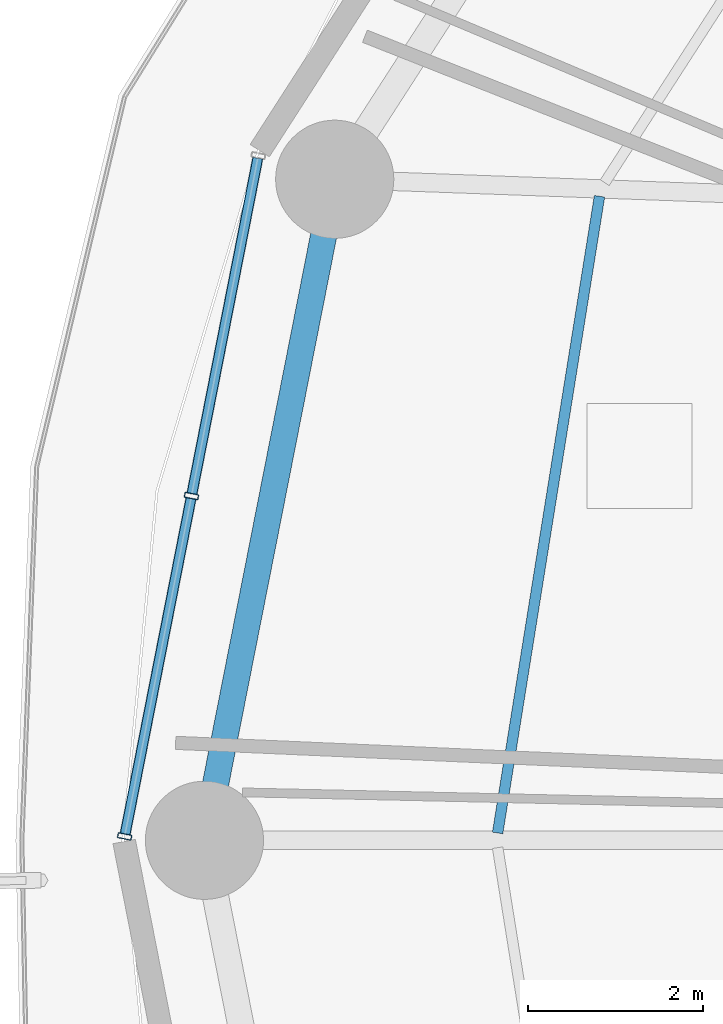
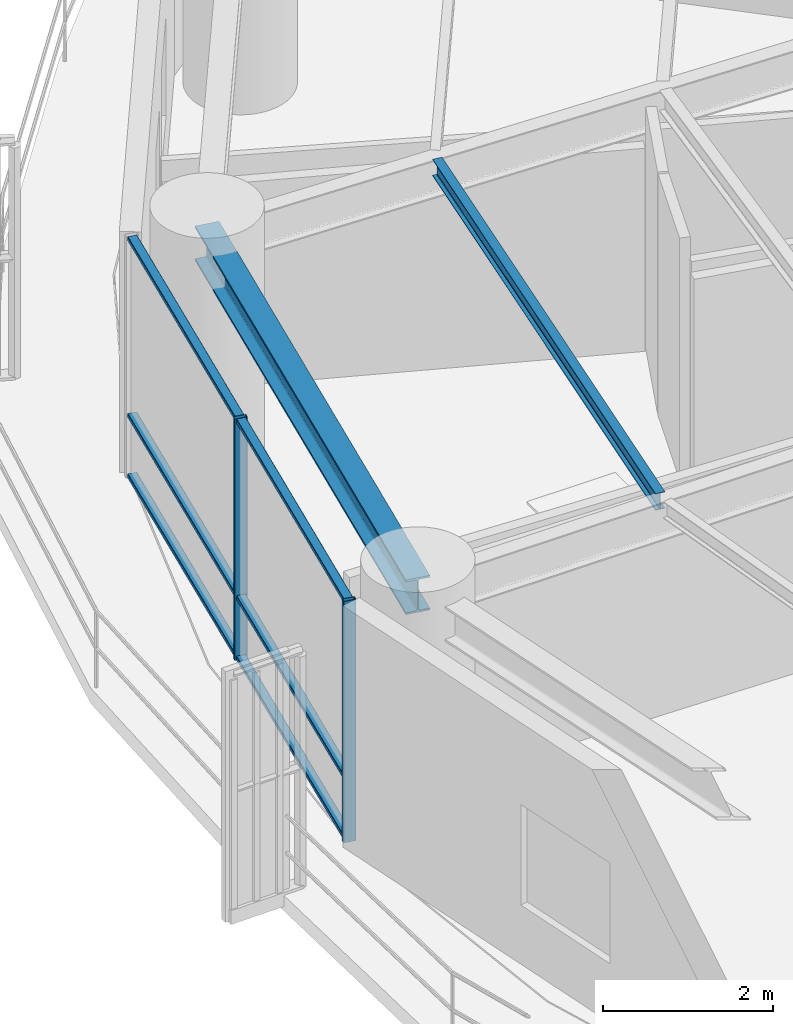
# One storey, part 8 of 37: 8 members, 2 beams, 1 element without a shape of its own.
"""IFC4 building model written with IfcOpenShell, lengths in metres."""

from ifc_helpers import new_model, si_unit, direction, frame, origin, origin_2d, place, context, subcontext, project, spatial, hollow_rectangle, i_section, extrude, material, layer, layer_set, material_profile, profile_set, type_object, element, aggregate, save


model = new_model("IFC4")

# Units and contexts
model_context = context("Model", 3, precision=1e-05, world=origin(), true_north=direction((0.0, 1.0)))
body_context = subcontext(model_context, "Body", "Model", "MODEL_VIEW")
ifc_project = project(units=[si_unit("LENGTHUNIT", "METRE"), si_unit("AREAUNIT", "SQUARE_METRE"), si_unit("VOLUMEUNIT", "CUBIC_METRE"), si_unit("PLANEANGLEUNIT", "RADIAN"), si_unit("MASSUNIT", "GRAM", prefix="KILO")], contexts=[model_context])

# Site, building, storey
site_placement = place(None, origin())
site = spatial("IfcSite", under=ifc_project, at=site_placement, CompositionType="ELEMENT")
building_placement = place(site_placement, origin())
building = spatial("IfcBuilding", under=site, at=building_placement, Name="Kelanora Arch Commons", CompositionType="ELEMENT")
storey_placement = place(building_placement, frame((0.0, 0.0, 110.10009765625)))
storey = spatial("IfcBuildingStorey", under=building, at=storey_placement, Name="L28", CompositionType="ELEMENT", Elevation=110.10009765625)

# Beams
ifc_material_1 = material(Name="Steel S355", Category="steel")
ifc_material_profile_1 = material_profile(ifc_material_1, i_section(OverallWidth=0.1201171875, OverallDepth=0.239990234375, WebThickness=0.006103515625, FlangeThickness=0.009765625, FilletRadius=0.014892578125, at=origin_2d()), Name="IPE240")
ifc_profile_set_1 = profile_set([ifc_material_profile_1], Name="Steel S355")
beam_type_1 = type_object("IfcBeamType", Name="BM-JST-02", PredefinedType="JOIST", material=ifc_profile_set_1)
beam_1_placement = place(storey_placement, frame((53.833251953125, 65.357421875, 3.369873046875), z_axis=(-0.157999549894, -0.987439184068, 0.0), x_axis=(0.987439184068, -0.157999549894, 0.0)))
element("IfcBeam", 1, at=beam_1_placement, inside=storey, type_object=beam_type_1, Name="Secondary Chord Joist BJC-16 L28", PredefinedType="JOIST", context=body_context, shape_type="SweptSolid", body=[
    extrude(i_section(OverallWidth=0.1201171875, OverallDepth=0.239990234375, WebThickness=0.006103515625, FlangeThickness=0.009765625, FilletRadius=0.014892578125, at=origin_2d()), origin(), (0.0, 0.0, 1.0), 7.365966796875),
])
ifc_material_profile_2 = material_profile(ifc_material_1, i_section(OverallWidth=0.300048828125, OverallDepth=0.5, WebThickness=0.014404296875, FlangeThickness=0.028076171875, FilletRadius=0.027099609375, at=origin_2d()), Name="HEB500")
ifc_profile_set_2 = profile_set([ifc_material_profile_2], Name="Steel S355")
beam_type_2 = type_object("IfcBeamType", Name="BM-SPN-Z2", PredefinedType="SPANDREL", material=ifc_profile_set_2)
beam_2_placement = place(storey_placement, frame((50.808349609375, 65.5517578125, 3.239990234375), z_axis=(-0.19335825777, -0.981128220037, 0.0), x_axis=(0.981128220037, -0.19335825777, 0.0)))
element("IfcBeam", 2, at=beam_2_placement, inside=storey, type_object=beam_type_2, Name="Perimeter Spandrel Beam BS-16 L28", PredefinedType="SPANDREL", context=body_context, shape_type="SweptSolid", body=[
    extrude(i_section(OverallWidth=0.300048828125, OverallDepth=0.5, WebThickness=0.014404296875, FlangeThickness=0.028076171875, FilletRadius=0.027099609375, at=origin_2d()), origin(), (0.0, 0.0, 1.0), 7.697021484375),
])

# Curtain wall, members
ifc_material_2 = material(Name="Terracotta ceramic-fritted low-E glass and aluminium", Category="masonry")
ifc_layer = layer(ifc_material_2, 0.159912109375)
ifc_layer_set = layer_set([ifc_layer], Name="Terracotta ceramic-fritted low-E glass and aluminium")
curtain_wall_type = type_object("IfcCurtainWallType", Name="CW-SYS-01", PredefinedType="NOTDEFINED", material=ifc_layer_set)
curtain_wall_placement = place(storey_placement, origin())
curtain_wall = element("IfcCurtainWall", 3, at=curtain_wall_placement, inside=storey, type_object=curtain_wall_type, Name="Unitised Curtain Wall L28-B08", PredefinedType="NOTDEFINED")
ifc_material_3 = material(Name="Powder-coated aluminium terracotta", Category="masonry")
ifc_material_profile_3 = material_profile(ifc_material_3, hollow_rectangle(XDim=0.159912109375, YDim=0.06005859375, WallThickness=0.0048828125, InnerFilletRadius=0.0048828125, OuterFilletRadius=0.010009765625, at=origin_2d()), Name="CWM160x60")
ifc_profile_set_3 = profile_set([ifc_material_profile_3], Name="Powder-coated aluminium terracotta")
member_type_1 = type_object("IfcMemberType", Name="CWM-STD", PredefinedType="MULLION", material=ifc_profile_set_3)
member_1_placement = place(storey_placement, frame((49.171875, 61.933349609375, 0.0), z_axis=(0.0, 0.0, 1.0), x_axis=(0.981280311646, -0.192584916272, 0.0)))
member_1 = element("IfcMember", 4, at=member_1_placement, type_object=member_type_1, Name="CW-01 mullion 2", PredefinedType="MULLION", context=body_context, shape_type="SweptSolid", body=[
    extrude(hollow_rectangle(XDim=0.159912109375, YDim=0.06005859375, WallThickness=0.0048828125, InnerFilletRadius=0.0048828125, OuterFilletRadius=0.010009765625, at=origin_2d()), origin(), (0.0, 0.0, 1.0), 3.474853515625),
])
member_2_placement = place(storey_placement, frame((48.40869140625, 58.044189453125, 0.0), z_axis=(0.0, 0.0, 1.0), x_axis=(0.981280311646, -0.192584916272, 0.0)))
member_2 = element("IfcMember", 5, at=member_2_placement, type_object=member_type_1, Name="CW-01 mullion 3", PredefinedType="MULLION", context=body_context, shape_type="SweptSolid", body=[
    extrude(hollow_rectangle(XDim=0.159912109375, YDim=0.06005859375, WallThickness=0.0048828125, InnerFilletRadius=0.0048828125, OuterFilletRadius=0.010009765625, at=origin_2d()), origin(), (0.0, 0.0, 1.0), 3.474853515625),
])
ifc_material_profile_4 = material_profile(ifc_material_3, hollow_rectangle(XDim=0.1201171875, YDim=0.06005859375, WallThickness=0.0048828125, InnerFilletRadius=0.0048828125, OuterFilletRadius=0.010009765625, at=origin_2d()), Name="CWT120x60")
ifc_profile_set_4 = profile_set([ifc_material_profile_4], Name="Powder-coated aluminium terracotta")
member_type_2 = type_object("IfcMemberType", Name="CWT-STD", PredefinedType="USERDEFINED", material=ifc_profile_set_4)
member_3_placement = place(storey_placement, frame((49.929443359375, 65.79296875, 0.02978515625), z_axis=(-0.192578614785, -0.981281548348, 0.0), x_axis=(0.981281548348, -0.192578614785, 0.0)))
member_3 = element("IfcMember", 6, at=member_3_placement, type_object=member_type_2, Name="CW-01 transom 1.1", ObjectType="TRANSOM", PredefinedType="USERDEFINED", context=body_context, shape_type="SweptSolid", body=[
    extrude(hollow_rectangle(XDim=0.1201171875, YDim=0.06005859375, WallThickness=0.0048828125, InnerFilletRadius=0.0048828125, OuterFilletRadius=0.010009765625, at=origin_2d()), origin(), (0.0, 0.0, 1.0), 3.9033203125),
])
member_4_placement = place(storey_placement, frame((49.929443359375, 65.79296875, 0.89990234375), z_axis=(-0.192578614785, -0.981281548348, 0.0), x_axis=(0.981281548348, -0.192578614785, 0.0)))
member_4 = element("IfcMember", 7, at=member_4_placement, type_object=member_type_2, Name="CW-01 transom 1.2", ObjectType="TRANSOM", PredefinedType="USERDEFINED", context=body_context, shape_type="SweptSolid", body=[
    extrude(hollow_rectangle(XDim=0.1201171875, YDim=0.06005859375, WallThickness=0.0048828125, InnerFilletRadius=0.0048828125, OuterFilletRadius=0.010009765625, at=origin_2d()), origin(), (0.0, 0.0, 1.0), 3.9033203125),
])
member_5_placement = place(storey_placement, frame((49.929443359375, 65.79296875, 3.44482421875), z_axis=(-0.192578614785, -0.981281548348, 0.0), x_axis=(0.981281548348, -0.192578614785, 0.0)))
member_5 = element("IfcMember", 8, at=member_5_placement, type_object=member_type_2, Name="CW-01 transom 1.3", ObjectType="TRANSOM", PredefinedType="USERDEFINED", context=body_context, shape_type="SweptSolid", body=[
    extrude(hollow_rectangle(XDim=0.1201171875, YDim=0.06005859375, WallThickness=0.0048828125, InnerFilletRadius=0.0048828125, OuterFilletRadius=0.010009765625, at=origin_2d()), origin(), (0.0, 0.0, 1.0), 3.9033203125),
])
member_6_placement = place(storey_placement, frame((49.166259765625, 61.90380859375, 0.02978515625), z_axis=(-0.192578614785, -0.981281548348, 0.0), x_axis=(0.981281548348, -0.192578614785, 0.0)))
member_6 = element("IfcMember", 9, at=member_6_placement, type_object=member_type_2, Name="CW-01 transom 2.1", ObjectType="TRANSOM", PredefinedType="USERDEFINED", context=body_context, shape_type="SweptSolid", body=[
    extrude(hollow_rectangle(XDim=0.1201171875, YDim=0.06005859375, WallThickness=0.0048828125, InnerFilletRadius=0.0048828125, OuterFilletRadius=0.010009765625, at=origin_2d()), origin(), (0.0, 0.0, 1.0), 3.9033203125),
])
member_7_placement = place(storey_placement, frame((49.166259765625, 61.90380859375, 0.89990234375), z_axis=(-0.192578614785, -0.981281548348, 0.0), x_axis=(0.981281548348, -0.192578614785, 0.0)))
member_7 = element("IfcMember", 10, at=member_7_placement, type_object=member_type_2, Name="CW-01 transom 2.2", ObjectType="TRANSOM", PredefinedType="USERDEFINED", context=body_context, shape_type="SweptSolid", body=[
    extrude(hollow_rectangle(XDim=0.1201171875, YDim=0.06005859375, WallThickness=0.0048828125, InnerFilletRadius=0.0048828125, OuterFilletRadius=0.010009765625, at=origin_2d()), origin(), (0.0, 0.0, 1.0), 3.9033203125),
])
member_8_placement = place(storey_placement, frame((49.166259765625, 61.90380859375, 3.44482421875), z_axis=(-0.192578614785, -0.981281548348, 0.0), x_axis=(0.981281548348, -0.192578614785, 0.0)))
member_8 = element("IfcMember", 11, at=member_8_placement, type_object=member_type_2, Name="CW-01 transom 2.3", ObjectType="TRANSOM", PredefinedType="USERDEFINED", context=body_context, shape_type="SweptSolid", body=[
    extrude(hollow_rectangle(XDim=0.1201171875, YDim=0.06005859375, WallThickness=0.0048828125, InnerFilletRadius=0.0048828125, OuterFilletRadius=0.010009765625, at=origin_2d()), origin(), (0.0, 0.0, 1.0), 3.9033203125),
])
aggregate(curtain_wall, [member_1, member_2, member_3, member_4, member_5, member_6, member_7, member_8])

save(model, "model.ifc")
